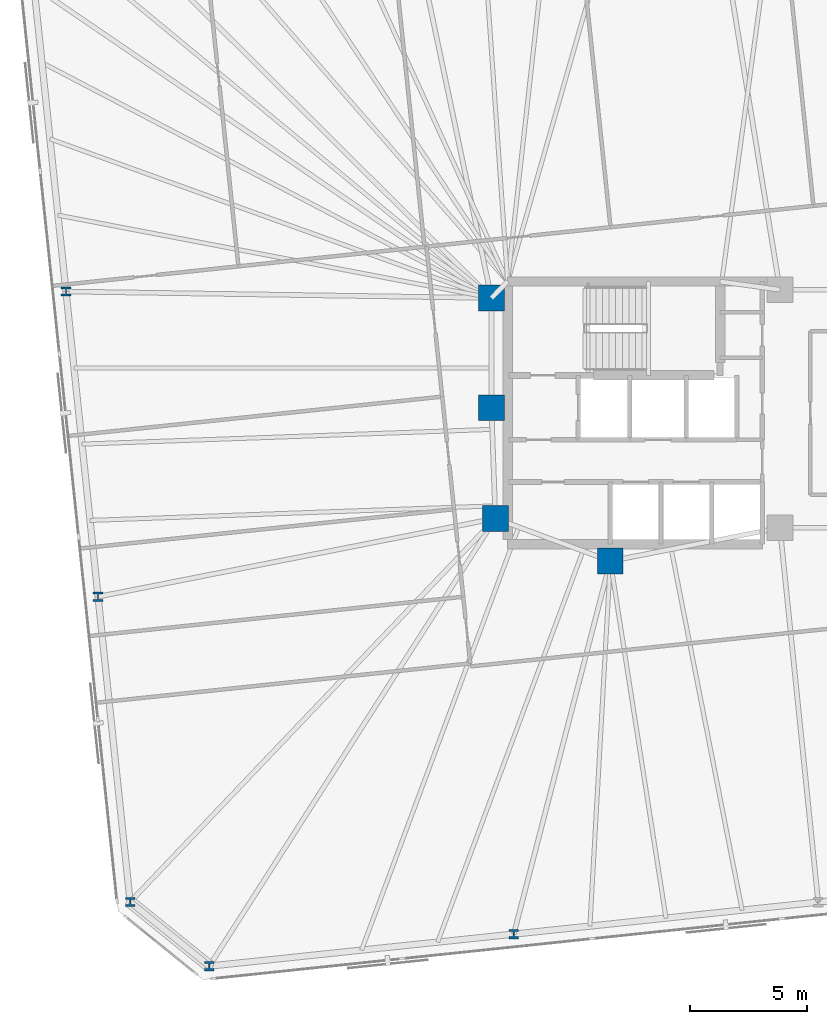
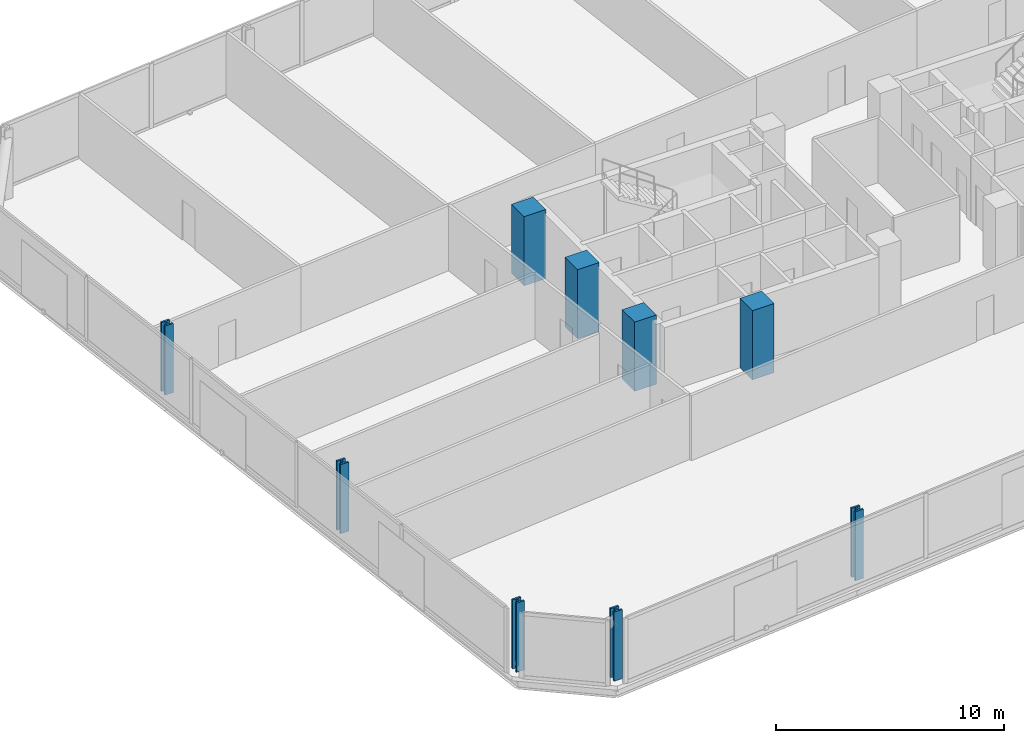
# One storey, part 1 of 18: 9 columns.
"""IFC4 building model written with IfcOpenShell, lengths in metres."""

from ifc_helpers import new_model, si_unit, direction, frame, origin, origin_2d, place, context, subcontext, project, spatial, rectangle, i_section, extrude, material, material_profile, profile_set, type_object, element, save


model = new_model("IFC4")

# Units and contexts
model_context = context("Model", 3, precision=1e-05, world=origin(), true_north=direction((0.0, 1.0)))
body_context = subcontext(model_context, "Body", "Model", "MODEL_VIEW")
ifc_project = project(units=[si_unit("LENGTHUNIT", "METRE"), si_unit("AREAUNIT", "SQUARE_METRE"), si_unit("VOLUMEUNIT", "CUBIC_METRE"), si_unit("PLANEANGLEUNIT", "RADIAN"), si_unit("MASSUNIT", "GRAM", prefix="KILO")], contexts=[model_context])

# Site, building, storey
site_placement = place(None, origin())
site = spatial("IfcSite", under=ifc_project, at=site_placement, CompositionType="ELEMENT")
building_placement = place(site_placement, origin())
building = spatial("IfcBuilding", under=site, at=building_placement, Name="Menara Jurai Vektor", CompositionType="ELEMENT")
storey_placement = place(building_placement, frame((0.0, 0.0, 128.10009765625)))
storey = spatial("IfcBuildingStorey", under=building, at=storey_placement, Name="L32", CompositionType="ELEMENT", Elevation=128.10009765625)

# Columns
ifc_material_1 = material(Name="Concrete C50/60", Category="concrete")
ifc_material_profile_1 = material_profile(ifc_material_1, rectangle(XDim=1.10009765625, YDim=1.10009765625, at=origin_2d()), Name="RC 1100x1100")
ifc_profile_set_1 = profile_set([ifc_material_profile_1], Name="Concrete C50/60")
column_type_1 = type_object("IfcColumnType", Name="STR-COL-RC1100", PredefinedType="COLUMN", material=ifc_profile_set_1)
for number, where, z_axis, x_axis, name in (
    (1, (-15.25, 4.89990234375, 0.0), (0.0, 0.0, 1.0), (1.0, 0.0, 0.0), "Core Spine Column CW-NW L32"),
    (2, (-15.25, 0.219970703125, 0.0), (0.0, 0.0, 1.0), (1.0, 0.0, 0.0), "Core Spine Column CW-WM L32"),
    (3, (-15.080078125, -4.5, 0.0), (0.0, 0.0, 1.0), (1.0, 0.0, 0.0), "Core Spine Column CW-SW L32"),
    (4, (-10.179931640625, -6.320068359375, 0.0), (0.0, 0.0, 1.0), (1.0, 0.0, 0.0), "Core Spine Column CW-SM L32"),
):
    element("IfcColumn", number, at=place(storey_placement, frame(where, z_axis=z_axis, x_axis=x_axis)), inside=storey, type_object=column_type_1, Name=name, PredefinedType="COLUMN", context=body_context, shape_type="SweptSolid", body=[
        extrude(rectangle(XDim=1.10009765625, YDim=1.10009765625, at=origin_2d()), origin(), (0.0, 0.0, 1.0), 3.699951171875),
    ])
ifc_material_2 = material(Name="Steel S460", Category="steel")
ifc_material_profile_2 = material_profile(ifc_material_2, i_section(OverallWidth=0.4130859375, OverallDepth=0.39794921875, WebThickness=0.055908203125, FlangeThickness=0.089111328125, FilletRadius=0.014892578125, at=origin_2d()), Name="HD 400x744")
ifc_profile_set_2 = profile_set([ifc_material_profile_2], Name="Steel S460")
column_type_2 = type_object("IfcColumnType", Name="STR-EXO-BLK2", PredefinedType="COLUMN", material=ifc_profile_set_2)
for number, where, z_axis, x_axis, name in (
    (5, (-27.2763671875, -23.586181640625, 0.0), (0.0, 0.0, 1.0), (1.0, 0.0, 0.0), "Exoskeleton Column BLK2-S1 L32"),
    (6, (-14.296630859375, -22.221923828125, 0.0), (0.0, 0.0, 1.0), (1.0, 0.0, 0.0), "Exoskeleton Column BLK2-S2 L32"),
    (7, (-33.388427734375, 5.175048828125, 0.0), (0.0, 0.0, 1.0), (1.0, 0.0, 0.0), "Exoskeleton Column BLK2-W2 L32"),
    (8, (-32.0205078125, -7.83837890625, 0.0), (0.0, 0.0, 1.0), (1.0, 0.0, 0.0), "Exoskeleton Column BLK2-W3 L32"),
    (9, (-30.65283203125, -20.85205078125, 0.0), (0.0, 0.0, 1.0), (1.0, 0.0, 0.0), "Exoskeleton Column BLK2-W4 L32"),
):
    element("IfcColumn", number, at=place(storey_placement, frame(where, z_axis=z_axis, x_axis=x_axis)), inside=storey, type_object=column_type_2, Name=name, PredefinedType="COLUMN", context=body_context, shape_type="SweptSolid", body=[
        extrude(i_section(OverallWidth=0.4130859375, OverallDepth=0.39794921875, WebThickness=0.055908203125, FlangeThickness=0.089111328125, FilletRadius=0.014892578125, at=origin_2d()), origin(), (0.0, 0.0, 1.0), 3.699951171875),
    ])

save(model, "model.ifc")
